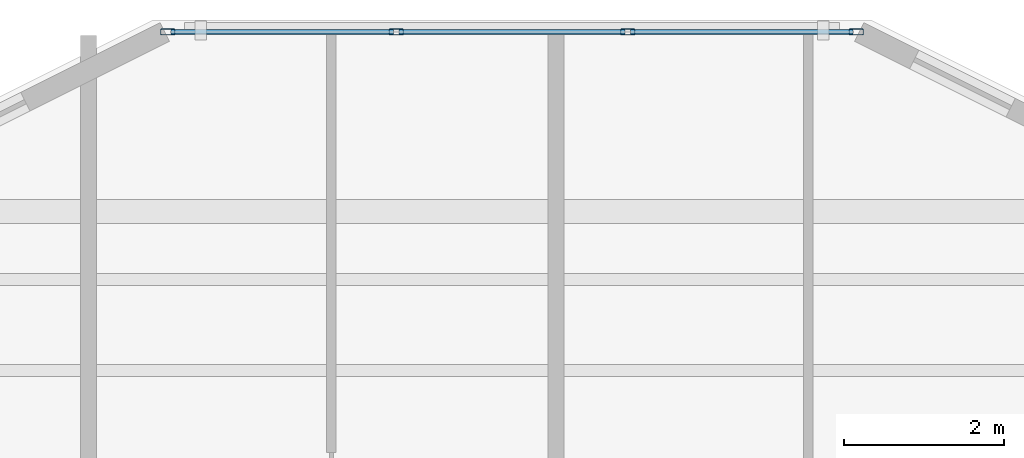
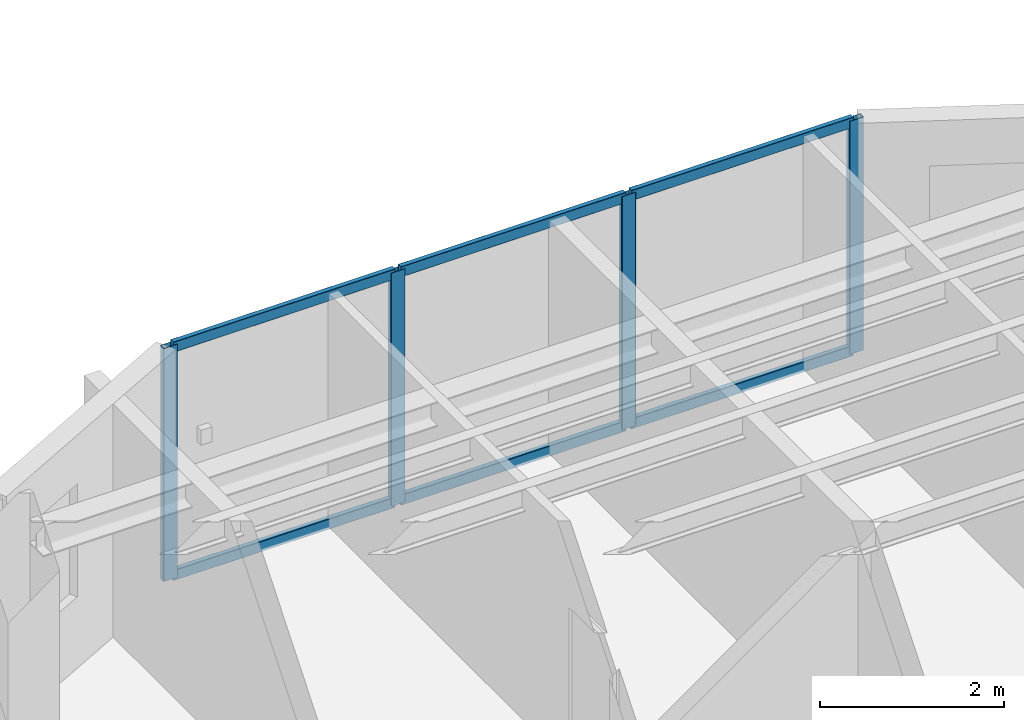
# One storey, part 4 of 14: 10 members, 1 element without a shape of its own.
"""IFC4 building model written with IfcOpenShell, lengths in metres."""

from ifc_helpers import new_model, si_unit, direction, frame, origin, origin_2d, place, context, subcontext, project, spatial, hollow_rectangle, extrude, material, layer, layer_set, material_profile, profile_set, type_object, element, aggregate, save


model = new_model("IFC4")

# Units and contexts
model_context = context("Model", 3, precision=1e-05, world=origin(), true_north=direction((0.0, 1.0)))
body_context = subcontext(model_context, "Body", "Model", "MODEL_VIEW")
ifc_project = project(units=[si_unit("LENGTHUNIT", "METRE"), si_unit("AREAUNIT", "SQUARE_METRE"), si_unit("VOLUMEUNIT", "CUBIC_METRE"), si_unit("PLANEANGLEUNIT", "RADIAN"), si_unit("MASSUNIT", "GRAM", prefix="KILO")], contexts=[model_context])

# Site, building, storey
site_placement = place(None, origin())
site = spatial("IfcSite", under=ifc_project, at=site_placement, CompositionType="ELEMENT")
building_placement = place(site_placement, origin())
building = spatial("IfcBuilding", under=site, at=building_placement, Name="Tarnavaz Court Tower", CompositionType="ELEMENT")
storey_placement = place(building_placement, frame((0.0, 0.0, 261.60009765625)))
storey = spatial("IfcBuildingStorey", under=building, at=storey_placement, Name="L71", CompositionType="ELEMENT", Elevation=261.60009765625)

# Curtain wall, members
ifc_material_1 = material(Name="Anodised Aluminium 6063-T6 and Solar Low-E Glazing", Category="aluminium")
ifc_layer = layer(ifc_material_1, 0.159912109375)
ifc_layer_set = layer_set([ifc_layer], Name="Anodised Aluminium 6063-T6 and Solar Low-E Glazing")
curtain_wall_type = type_object("IfcCurtainWallType", Name="CW-SYS-03", PredefinedType="NOTDEFINED", material=ifc_layer_set)
curtain_wall_placement = place(storey_placement, origin())
curtain_wall = element("IfcCurtainWall", 1, at=curtain_wall_placement, inside=storey, type_object=curtain_wall_type, Name="L71 Iwan Prow Curtain Wall 7", PredefinedType="NOTDEFINED")
ifc_material_2 = material(Name="Anodised Aluminium 6063-T6", Category="aluminium")
ifc_material_profile_1 = material_profile(ifc_material_2, hollow_rectangle(XDim=0.074951171875, YDim=0.179931640625, WallThickness=0.0048828125, InnerFilletRadius=0.0048828125, OuterFilletRadius=0.010009765625, at=origin_2d()), Name="ALU RHS 180X75X5")
ifc_profile_set_1 = profile_set([ifc_material_profile_1], Name="Anodised Aluminium 6063-T6")
member_type_1 = type_object("IfcMemberType", Name="CW-MUL-180", PredefinedType="MULLION", material=ifc_profile_set_1)
member_1_placement = place(storey_placement, frame((-4.3125, 22.35009765625, 0.0), z_axis=(0.0, 0.0, 1.0), x_axis=(0.0, 1.0, 0.0)))
member_1 = element("IfcMember", 2, at=member_1_placement, type_object=member_type_1, Name="CW mullion 1", PredefinedType="MULLION", context=body_context, shape_type="SweptSolid", body=[
    extrude(hollow_rectangle(XDim=0.074951171875, YDim=0.179931640625, WallThickness=0.0048828125, InnerFilletRadius=0.0048828125, OuterFilletRadius=0.010009765625, at=origin_2d()), origin(), (0.0, 0.0, 1.0), 3.099853515625),
])
member_2_placement = place(storey_placement, frame((-1.449951171875, 22.35009765625, 0.0), z_axis=(0.0, 0.0, 1.0), x_axis=(0.0, 1.0, 0.0)))
member_2 = element("IfcMember", 3, at=member_2_placement, type_object=member_type_1, Name="CW mullion 2", PredefinedType="MULLION", context=body_context, shape_type="SweptSolid", body=[
    extrude(hollow_rectangle(XDim=0.074951171875, YDim=0.179931640625, WallThickness=0.0048828125, InnerFilletRadius=0.0048828125, OuterFilletRadius=0.010009765625, at=origin_2d()), origin(), (0.0, 0.0, 1.0), 3.099853515625),
])
member_3_placement = place(storey_placement, frame((1.449951171875, 22.35009765625, 0.0), z_axis=(0.0, 0.0, 1.0), x_axis=(0.0, 1.0, 0.0)))
member_3 = element("IfcMember", 4, at=member_3_placement, type_object=member_type_1, Name="CW mullion 3", PredefinedType="MULLION", context=body_context, shape_type="SweptSolid", body=[
    extrude(hollow_rectangle(XDim=0.074951171875, YDim=0.179931640625, WallThickness=0.0048828125, InnerFilletRadius=0.0048828125, OuterFilletRadius=0.010009765625, at=origin_2d()), origin(), (0.0, 0.0, 1.0), 3.099853515625),
])
member_4_placement = place(storey_placement, frame((4.3125, 22.35009765625, 0.0), z_axis=(0.0, 0.0, 1.0), x_axis=(0.0, 1.0, 0.0)))
member_4 = element("IfcMember", 5, at=member_4_placement, type_object=member_type_1, Name="CW mullion 4", PredefinedType="MULLION", context=body_context, shape_type="SweptSolid", body=[
    extrude(hollow_rectangle(XDim=0.074951171875, YDim=0.179931640625, WallThickness=0.0048828125, InnerFilletRadius=0.0048828125, OuterFilletRadius=0.010009765625, at=origin_2d()), origin(), (0.0, 0.0, 1.0), 3.099853515625),
])
ifc_material_profile_2 = material_profile(ifc_material_2, hollow_rectangle(XDim=0.06494140625, YDim=0.139892578125, WallThickness=0.00390625, InnerFilletRadius=0.00390625, OuterFilletRadius=0.008056640625, at=origin_2d()), Name="ALU RHS 140X65X4")
ifc_profile_set_2 = profile_set([ifc_material_profile_2], Name="Anodised Aluminium 6063-T6")
member_type_2 = type_object("IfcMemberType", Name="CW-TRN-140", PredefinedType="USERDEFINED", material=ifc_profile_set_2)
member_5_placement = place(storey_placement, frame((-4.27490234375, 22.35009765625, 0.032470703125), z_axis=(1.0, 0.0, 0.0), x_axis=(0.0, 1.0, 0.0)))
member_5 = element("IfcMember", 6, at=member_5_placement, type_object=member_type_2, Name="CW transom 1.1", ObjectType="TRANSOM", PredefinedType="USERDEFINED", context=body_context, shape_type="SweptSolid", body=[
    extrude(hollow_rectangle(XDim=0.06494140625, YDim=0.139892578125, WallThickness=0.00390625, InnerFilletRadius=0.00390625, OuterFilletRadius=0.008056640625, at=origin_2d()), origin(), (0.0, 0.0, 1.0), 2.787353515625),
])
member_6_placement = place(storey_placement, frame((-4.27490234375, 22.35009765625, 3.0673828125), z_axis=(1.0, 0.0, 0.0), x_axis=(0.0, 1.0, 0.0)))
member_6 = element("IfcMember", 7, at=member_6_placement, type_object=member_type_2, Name="CW transom 1.2", ObjectType="TRANSOM", PredefinedType="USERDEFINED", context=body_context, shape_type="SweptSolid", body=[
    extrude(hollow_rectangle(XDim=0.06494140625, YDim=0.139892578125, WallThickness=0.00390625, InnerFilletRadius=0.00390625, OuterFilletRadius=0.008056640625, at=origin_2d()), origin(), (0.0, 0.0, 1.0), 2.787353515625),
])
member_7_placement = place(storey_placement, frame((-1.41259765625, 22.35009765625, 0.032470703125), z_axis=(1.0, 0.0, 0.0), x_axis=(0.0, 1.0, 0.0)))
member_7 = element("IfcMember", 8, at=member_7_placement, type_object=member_type_2, Name="CW transom 2.1", ObjectType="TRANSOM", PredefinedType="USERDEFINED", context=body_context, shape_type="SweptSolid", body=[
    extrude(hollow_rectangle(XDim=0.06494140625, YDim=0.139892578125, WallThickness=0.00390625, InnerFilletRadius=0.00390625, OuterFilletRadius=0.008056640625, at=origin_2d()), origin(), (0.0, 0.0, 1.0), 2.8251953125),
])
member_8_placement = place(storey_placement, frame((-1.41259765625, 22.35009765625, 3.0673828125), z_axis=(1.0, 0.0, 0.0), x_axis=(0.0, 1.0, 0.0)))
member_8 = element("IfcMember", 9, at=member_8_placement, type_object=member_type_2, Name="CW transom 2.2", ObjectType="TRANSOM", PredefinedType="USERDEFINED", context=body_context, shape_type="SweptSolid", body=[
    extrude(hollow_rectangle(XDim=0.06494140625, YDim=0.139892578125, WallThickness=0.00390625, InnerFilletRadius=0.00390625, OuterFilletRadius=0.008056640625, at=origin_2d()), origin(), (0.0, 0.0, 1.0), 2.8251953125),
])
member_9_placement = place(storey_placement, frame((1.487548828125, 22.35009765625, 0.032470703125), z_axis=(1.0, 0.0, 0.0), x_axis=(0.0, 1.0, 0.0)))
member_9 = element("IfcMember", 10, at=member_9_placement, type_object=member_type_2, Name="CW transom 3.1", ObjectType="TRANSOM", PredefinedType="USERDEFINED", context=body_context, shape_type="SweptSolid", body=[
    extrude(hollow_rectangle(XDim=0.06494140625, YDim=0.139892578125, WallThickness=0.00390625, InnerFilletRadius=0.00390625, OuterFilletRadius=0.008056640625, at=origin_2d()), origin(), (0.0, 0.0, 1.0), 2.787353515625),
])
member_10_placement = place(storey_placement, frame((1.487548828125, 22.35009765625, 3.0673828125), z_axis=(1.0, 0.0, 0.0), x_axis=(0.0, 1.0, 0.0)))
member_10 = element("IfcMember", 11, at=member_10_placement, type_object=member_type_2, Name="CW transom 3.2", ObjectType="TRANSOM", PredefinedType="USERDEFINED", context=body_context, shape_type="SweptSolid", body=[
    extrude(hollow_rectangle(XDim=0.06494140625, YDim=0.139892578125, WallThickness=0.00390625, InnerFilletRadius=0.00390625, OuterFilletRadius=0.008056640625, at=origin_2d()), origin(), (0.0, 0.0, 1.0), 2.787353515625),
])
aggregate(curtain_wall, [member_1, member_2, member_3, member_4, member_5, member_6, member_7, member_8, member_9, member_10])

save(model, "model.ifc")
